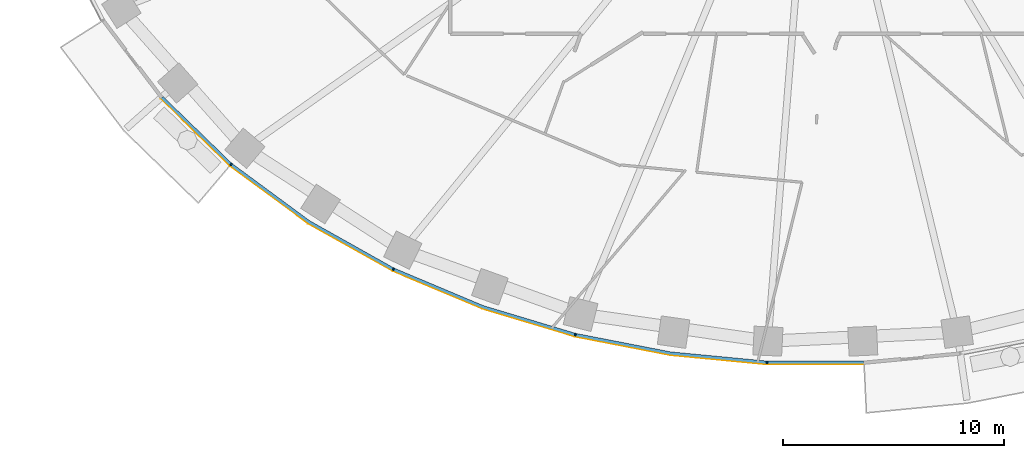
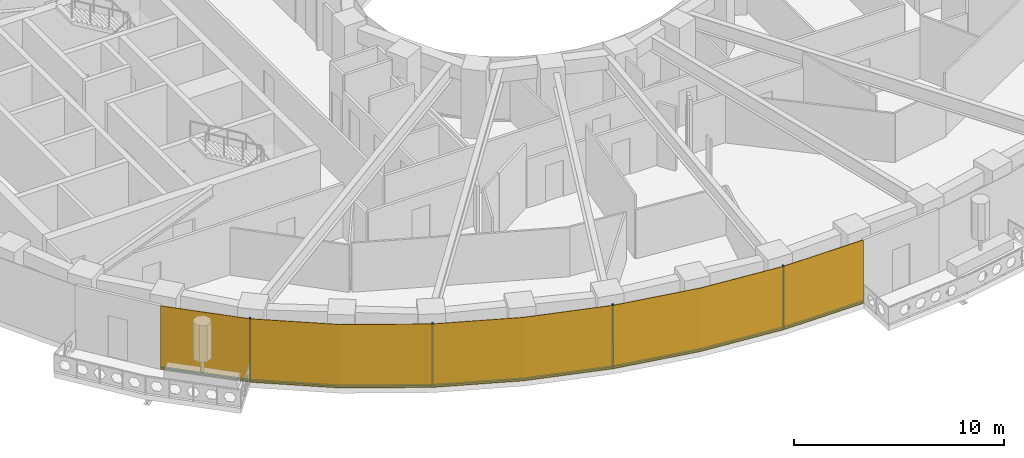
# One storey, part 8 of 16: 9 members, 1 curtain wall.
"""IFC4 building model written with IfcOpenShell, lengths in metres."""

from ifc_helpers import new_model, si_unit, direction, frame, origin, origin_2d, place, context, subcontext, project, spatial, polyline, rectangle, outline, extrude, material, layer, layer_set, material_profile, profile_set, type_object, element, aggregate, save


model = new_model("IFC4")

# Units and contexts
model_context = context("Model", 3, precision=1e-05, world=origin(), true_north=direction((0.0, 1.0)))
body_context = subcontext(model_context, "Body", "Model", "MODEL_VIEW")
ifc_project = project(units=[si_unit("LENGTHUNIT", "METRE"), si_unit("AREAUNIT", "SQUARE_METRE"), si_unit("VOLUMEUNIT", "CUBIC_METRE"), si_unit("PLANEANGLEUNIT", "RADIAN"), si_unit("MASSUNIT", "GRAM", prefix="KILO")], contexts=[model_context])

# Member
ifc_material_1 = material(Name="Aluminium 6063-T6 black anodised", Category="aluminium")
ifc_material_profile = material_profile(ifc_material_1, rectangle(XDim=0.1201171875, YDim=0.06005859375, at=origin_2d()), Name="120x60")
ifc_profile_set = profile_set([ifc_material_profile], Name="Aluminium 6063-T6 black anodised")
member_type_1 = type_object("IfcMemberType", Name="ENV-MULLION-A-120", PredefinedType="MULLION", material=ifc_profile_set)
site_placement = place(None, origin())
building_placement = place(site_placement, origin())
storey_placement = place(building_placement, frame((0.0, 0.0, 96.0)))
member_1_placement = place(storey_placement, frame((-26.403564453125, -18.9130859375, 0.0), z_axis=(0.0, 0.0, 1.0), x_axis=(0.646451313783, 0.762955240435, 0.0)))
member_1 = element("IfcMember", 1, at=member_1_placement, type_object=member_type_1, Name="Mullion A radial 29", PredefinedType="MULLION", context=body_context, shape_type="SweptSolid", body=[
    extrude(rectangle(XDim=0.1201171875, YDim=0.06005859375, at=origin_2d()), origin(), (0.0, 0.0, 1.0), 3.699951171875),
])

member_2_placement = place(storey_placement, frame((-19.06787109375, -23.6474609375, 0.0), z_axis=(0.0, 0.0, 1.0), x_axis=(0.439237769837, 0.898370848563, 0.0)))
member_2 = element("IfcMember", 2, at=member_2_placement, type_object=member_type_1, Name="Mullion A radial 31", PredefinedType="MULLION", context=body_context, shape_type="SweptSolid", body=[
    extrude(rectangle(XDim=0.1201171875, YDim=0.06005859375, at=origin_2d()), origin(), (0.0, 0.0, 1.0), 3.699951171875),
])

member_3_placement = place(storey_placement, frame((-10.84326171875, -26.60498046875, 0.0), z_axis=(0.0, 0.0, 1.0), x_axis=(0.239799081534, 0.970822538106, 0.0)))
member_3 = element("IfcMember", 3, at=member_3_placement, type_object=member_type_1, Name="Mullion A radial 33", PredefinedType="MULLION", context=body_context, shape_type="SweptSolid", body=[
    extrude(rectangle(XDim=0.1201171875, YDim=0.06005859375, at=origin_2d()), origin(), (0.0, 0.0, 1.0), 3.699951171875),
])

member_4_placement = place(storey_placement, frame((-2.188720703125, -27.856201171875, 0.0), z_axis=(0.0, 0.0, 1.0), x_axis=(0.047557873581, 0.998868484166, 0.0)))
member_4 = element("IfcMember", 4, at=member_4_placement, type_object=member_type_1, Name="Mullion A radial 35", PredefinedType="MULLION", context=body_context, shape_type="SweptSolid", body=[
    extrude(rectangle(XDim=0.1201171875, YDim=0.06005859375, at=origin_2d()), origin(), (0.0, 0.0, 1.0), 3.699951171875),
])

ifc_material_2 = material(Name="Aluminium 6063-T6 black anodised", Category="aluminium")
member_type_2 = type_object("IfcMemberType", Name="ENV-TRANSOM-A", PredefinedType="USERDEFINED", material=ifc_material_2)
member_5_placement = place(storey_placement, origin())
member_5 = element("IfcMember", 5, at=member_5_placement, type_object=member_type_2, Name="Transom A radial 28-29", ObjectType="TRANSOM", PredefinedType="USERDEFINED", context=body_context, shape_type="SweptSolid", body=[
    extrude(outline(polyline([(-29.569091796875, -15.9208984375), (-26.46240234375, -18.939208984375), (-26.384765625, -18.847412109375), (-29.47900390625, -15.841064453125), (-29.569091796875, -15.9208984375)])), origin(), (0.0, 0.0, 1.0), 0.10009765625),
])

member_6_placement = place(storey_placement, origin())
member_6 = element("IfcMember", 6, at=member_6_placement, type_object=member_type_2, Name="Transom A radial 29-31", ObjectType="TRANSOM", PredefinedType="USERDEFINED", context=body_context, shape_type="SweptSolid", body=[
    extrude(outline(polyline([(-26.419921875, -18.975341796875), (-22.9150390625, -21.556884765625), (-19.11865234375, -23.687744140625), (-19.06591796875, -23.57958984375), (-22.85009765625, -21.455810546875), (-26.342041015625, -18.883544921875), (-26.419921875, -18.975341796875)])), origin(), (0.0, 0.0, 1.0), 0.10009765625),
])

member_7_placement = place(storey_placement, origin())
member_7 = element("IfcMember", 7, at=member_7_placement, type_object=member_type_2, Name="Transom A radial 31-33", ObjectType="TRANSOM", PredefinedType="USERDEFINED", context=body_context, shape_type="SweptSolid", body=[
    extrude(outline(polyline([(-19.068359375, -23.71240234375), (-15.054443359375, -25.400146484375), (-10.884521484375, -26.655029296875), (-10.855712890625, -26.53857421875), (-15.013916015625, -25.287109375), (-19.015380859375, -23.604248046875), (-19.068359375, -23.71240234375)])), origin(), (0.0, 0.0, 1.0), 0.10009765625),
])

member_8_placement = place(storey_placement, origin())
member_8 = element("IfcMember", 8, at=member_8_placement, type_object=member_type_2, Name="Transom A radial 33-35", ObjectType="TRANSOM", PredefinedType="USERDEFINED", context=body_context, shape_type="SweptSolid", body=[
    extrude(outline(polyline([(-10.830078125, -26.66845703125), (-6.55517578125, -27.49951171875), (-2.219482421875, -27.913330078125), (-2.2138671875, -27.793212890625), (-6.537841796875, -27.380615234375), (-10.80126953125, -26.552001953125), (-10.830078125, -26.66845703125)])), origin(), (0.0, 0.0, 1.0), 0.10009765625),
])

member_9_placement = place(storey_placement, origin())
member_9 = element("IfcMember", 9, at=member_9_placement, type_object=member_type_2, Name="Transom A radial 35-36", ObjectType="TRANSOM", PredefinedType="USERDEFINED", context=body_context, shape_type="SweptSolid", body=[
    extrude(outline(polyline([(-2.163818359375, -27.916015625), (2.171630859375, -27.916015625), (2.166015625, -27.7958984375), (-2.157958984375, -27.7958984375), (-2.163818359375, -27.916015625)])), origin(), (0.0, 0.0, 1.0), 0.10009765625),
])

# Site, building, storey
site = spatial("IfcSite", under=ifc_project, at=site_placement, CompositionType="ELEMENT")
building = spatial("IfcBuilding", under=site, at=building_placement, Name="Noorbagh Ring Tower", CompositionType="ELEMENT")
storey = spatial("IfcBuildingStorey", under=building, at=storey_placement, Name="L21", CompositionType="ELEMENT", Elevation=96.0)

# Curtain wall
ifc_material_3 = material(Name="Glass dark tinted laminated", Category="glass")
ifc_layer = layer(ifc_material_3, 0.031982421875)
ifc_layer_set = layer_set([ifc_layer], Name="Glass dark tinted laminated")
curtain_wall_type = type_object("IfcCurtainWallType", Name="ENV-CW-A", PredefinedType="NOTDEFINED", material=ifc_layer_set)
curtain_wall_placement = place(storey_placement, origin())
curtain_wall = element("IfcCurtainWall", 10, at=curtain_wall_placement, inside=storey, type_object=curtain_wall_type, Name="Curtain wall A R28", PredefinedType="NOTDEFINED", context=body_context, shape_type="SweptSolid", body=[
    extrude(outline(polyline([(-29.59326171875, -15.942138671875), (-26.463134765625, -18.9833984375), (-22.9326171875, -21.583740234375), (-19.108154296875, -23.730224609375), (-15.065185546875, -25.430419921875), (-10.865234375, -26.6943359375), (-6.559814453125, -27.53125), (-2.193115234375, -27.947998046875), (2.173095703125, -27.947998046875), (2.171630859375, -27.916015625), (-2.191650390625, -27.916015625), (-6.55517578125, -27.49951171875), (-10.857666015625, -26.6630859375), (-15.054443359375, -25.400146484375), (-19.093994140625, -23.701416015625), (-22.9150390625, -21.556884765625), (-26.4423828125, -18.958740234375), (-29.569091796875, -15.9208984375), (-29.59326171875, -15.942138671875)])), origin(), (0.0, 0.0, 1.0), 3.699951171875),
])

aggregate(curtain_wall, [member_1, member_2, member_3, member_4, member_5, member_6, member_7, member_8, member_9])

save(model, "model.ifc")
